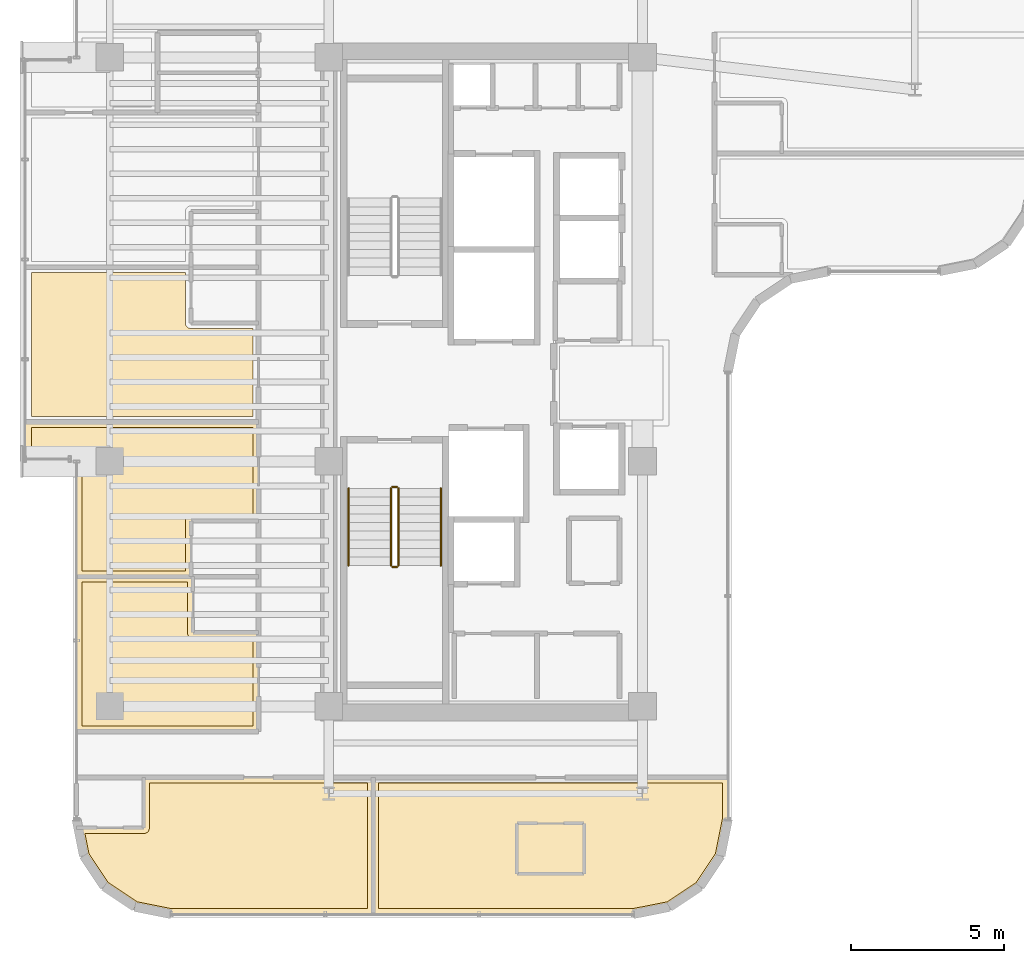
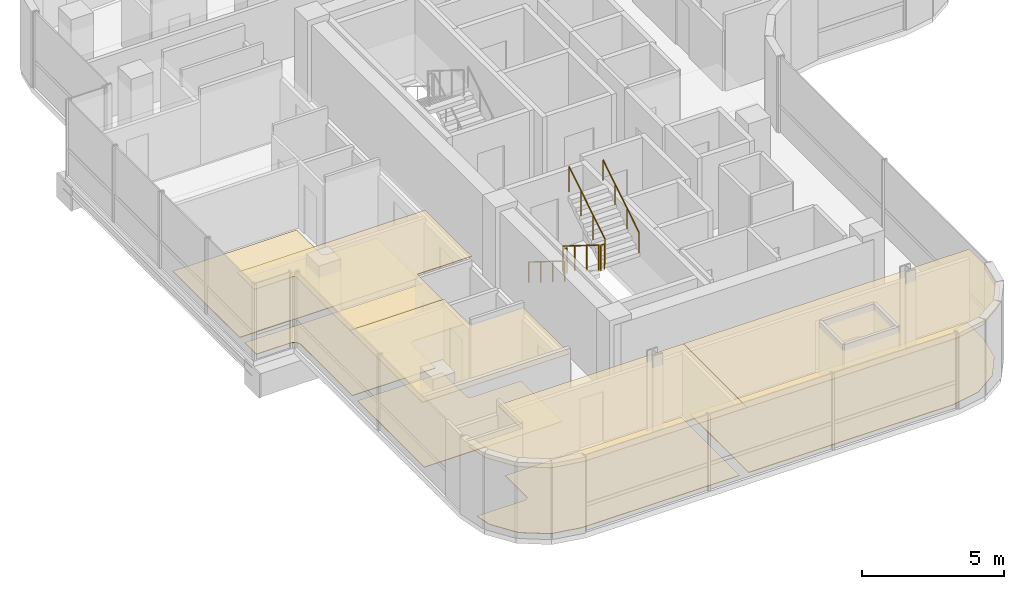
# One storey, part 20 of 22: 9 coverings, 6 railings.
"""IFC4 building model written with IfcOpenShell, lengths in metres."""

from ifc_helpers import new_model, si_unit, direction, frame, origin, origin_2d, place, context, subcontext, project, spatial, polyline, circle, outline, extrude, material, layer, layer_set, type_object, element, save


model = new_model("IFC4")

# Units and contexts
model_context = context("Model", 3, precision=1e-05, world=origin(), true_north=direction((0.0, 1.0)))
body_context = subcontext(model_context, "Body", "Model", "MODEL_VIEW")
ifc_project = project(units=[si_unit("LENGTHUNIT", "METRE"), si_unit("AREAUNIT", "SQUARE_METRE"), si_unit("VOLUMEUNIT", "CUBIC_METRE"), si_unit("PLANEANGLEUNIT", "RADIAN"), si_unit("MASSUNIT", "GRAM", prefix="KILO")], contexts=[model_context])

# Site, building, storey
site_placement = place(None, origin())
site = spatial("IfcSite", under=ifc_project, at=site_placement, CompositionType="ELEMENT")
building_placement = place(site_placement, origin())
building = spatial("IfcBuilding", under=site, at=building_placement, Name="Valdorenza Pilgrim Sanctuary Tower", CompositionType="ELEMENT")
storey_placement = place(building_placement, frame((0.0, 0.0, 216.0)))
storey = spatial("IfcBuildingStorey", under=building, at=storey_placement, Name="L55", CompositionType="ELEMENT", Elevation=216.0)

# Coverings
ifc_material_1 = material(Name="Micro-perforated acoustic mineral ceiling tile", Category="gypsum")
ifc_layer_1 = layer(ifc_material_1, 0.02490234375, Name="Micro-perforated acoustic mineral ceiling tile")
ifc_layer_set_1 = layer_set([ifc_layer_1], Name="Micro-perforated acoustic mineral ceiling tile")
covering_type_1 = type_object("IfcCoveringType", Name="COV-CLG-ACU", PredefinedType="CEILING", material=ifc_layer_set_1)
covering_1_placement = place(storey_placement, frame((0.0, 0.0, 2.9599609375)))
element("IfcCovering", 1, at=covering_1_placement, inside=storey, type_object=covering_type_1, Name="L55 Pilgrim Guest Room L55-W1 Acoustic Ceiling", PredefinedType="CEILING", context=body_context, shape_type="SweptSolid", body=[
    extrude(outline(polyline([(-30.905029296875, -6.364990234375), (-30.90478515625, -6.363525390625), (-30.90478515625, -6.362060546875), (-30.904296875, -6.360595703125), (-30.90380859375, -6.359375), (-30.9033203125, -6.35791015625), (-30.902587890625, -6.356689453125), (-30.901611328125, -6.35546875), (-30.900634765625, -6.3544921875), (-30.8994140625, -6.353515625), (-30.898193359375, -6.3525390625), (-30.897216796875, -6.351806640625), (-30.895751953125, -6.35107421875), (-30.894287109375, -6.3505859375), (-30.892822265625, -6.350341796875), (-30.8916015625, -6.35009765625), (-30.889892578125, -6.35009765625), (-27.090087890625, -6.35009765625), (-27.08837890625, -6.35009765625), (-27.087158203125, -6.350341796875), (-27.085693359375, -6.3505859375), (-27.084228515625, -6.35107421875), (-27.0830078125, -6.351806640625), (-27.081787109375, -6.3525390625), (-27.08056640625, -6.353515625), (-27.079345703125, -6.3544921875), (-27.078369140625, -6.35546875), (-27.077392578125, -6.356689453125), (-27.076904296875, -6.35791015625), (-27.076171875, -6.359375), (-27.07568359375, -6.360595703125), (-27.0751953125, -6.362060546875), (-27.0751953125, -6.363525390625), (-27.074951171875, -6.364990234375), (-27.074951171875, -8.172119140625), (-24.949951171875, -8.172119140625), (-24.948486328125, -8.172119140625), (-24.947021484375, -8.17236328125), (-24.945556640625, -8.172607421875), (-24.9443359375, -8.173095703125), (-24.94287109375, -8.173828125), (-24.941650390625, -8.174560546875), (-24.9404296875, -8.17529296875), (-24.939453125, -8.176513671875), (-24.9384765625, -8.177490234375), (-24.9375, -8.1787109375), (-24.936767578125, -8.179931640625), (-24.93603515625, -8.181396484375), (-24.935546875, -8.1826171875), (-24.935302734375, -8.18408203125), (-24.93505859375, -8.185546875), (-24.93505859375, -8.18701171875), (-24.93505859375, -11.419921875), (-24.93505859375, -11.42138671875), (-24.935302734375, -11.4228515625), (-24.935546875, -11.42431640625), (-24.93603515625, -11.42578125), (-24.936767578125, -11.427001953125), (-24.9375, -11.42822265625), (-24.9384765625, -11.429443359375), (-24.939453125, -11.4306640625), (-24.9404296875, -11.431640625), (-24.941650390625, -11.4326171875), (-24.94287109375, -11.43310546875), (-24.9443359375, -11.433837890625), (-24.945556640625, -11.434326171875), (-24.947021484375, -11.434814453125), (-24.948486328125, -11.434814453125), (-24.949951171875, -11.43505859375), (-30.889892578125, -11.43505859375), (-30.8916015625, -11.434814453125), (-30.892822265625, -11.434814453125), (-30.894287109375, -11.434326171875), (-30.895751953125, -11.433837890625), (-30.897216796875, -11.43310546875), (-30.898193359375, -11.4326171875), (-30.8994140625, -11.431640625), (-30.900634765625, -11.4306640625), (-30.901611328125, -11.429443359375), (-30.902587890625, -11.42822265625), (-30.9033203125, -11.427001953125), (-30.90380859375, -11.42578125), (-30.904296875, -11.42431640625), (-30.90478515625, -11.4228515625), (-30.90478515625, -11.42138671875), (-30.905029296875, -11.419921875), (-30.905029296875, -6.364990234375)])), origin(), (0.0, 0.0, 1.0), 0.025146484375),
])
covering_2_placement = place(storey_placement, frame((0.0, 0.0, 2.9599609375)))
element("IfcCovering", 2, at=covering_2_placement, inside=storey, type_object=covering_type_1, Name="L55 Pilgrim Guest Room L55-W2 Acoustic Ceiling", PredefinedType="CEILING", context=body_context, shape_type="SweptSolid", body=[
    extrude(outline(polyline([(-27.136962890625, -4.55810546875), (-27.136962890625, -6.363037109375), (-27.13720703125, -6.364501953125), (-27.13720703125, -6.365966796875), (-27.1376953125, -6.367431640625), (-27.13818359375, -6.36865234375), (-27.138916015625, -6.3701171875), (-27.139404296875, -6.371337890625), (-27.140380859375, -6.37255859375), (-27.141357421875, -6.37353515625), (-27.142578125, -6.37451171875), (-27.143798828125, -6.37548828125), (-27.14501953125, -6.376220703125), (-27.146240234375, -6.376953125), (-27.147705078125, -6.37744140625), (-27.149169921875, -6.377685546875), (-27.150390625, -6.3779296875), (-27.152099609375, -6.3779296875), (-30.889892578125, -6.3779296875), (-30.8916015625, -6.3779296875), (-30.892822265625, -6.377685546875), (-30.894287109375, -6.37744140625), (-30.895751953125, -6.376953125), (-30.897216796875, -6.376220703125), (-30.898193359375, -6.37548828125), (-30.8994140625, -6.37451171875), (-30.900634765625, -6.37353515625), (-30.901611328125, -6.37255859375), (-30.902587890625, -6.371337890625), (-30.9033203125, -6.3701171875), (-30.90380859375, -6.36865234375), (-30.904296875, -6.367431640625), (-30.90478515625, -6.365966796875), (-30.90478515625, -6.364501953125), (-30.905029296875, -6.363037109375), (-30.905029296875, -2.600341796875), (-30.905517578125, -2.5908203125), (-30.90673828125, -2.58154296875), (-30.9091796875, -2.572509765625), (-30.912109375, -2.563720703125), (-30.916259765625, -2.55517578125), (-30.9208984375, -2.547119140625), (-30.926513671875, -2.539794921875), (-30.932861328125, -2.53271484375), (-30.939697265625, -2.526611328125), (-30.947265625, -2.52099609375), (-30.955078125, -2.51611328125), (-30.963623046875, -2.51220703125), (-30.972412109375, -2.509033203125), (-30.9814453125, -2.5068359375), (-30.99072265625, -2.505615234375), (-31.00048828125, -2.5048828125), (-32.5400390625, -2.5048828125), (-32.54150390625, -2.5048828125), (-32.54296875, -2.504638671875), (-32.54443359375, -2.50439453125), (-32.545654296875, -2.50390625), (-32.547119140625, -2.503173828125), (-32.54833984375, -2.50244140625), (-32.549560546875, -2.501708984375), (-32.550537109375, -2.50048828125), (-32.551513671875, -2.49951171875), (-32.552490234375, -2.498291015625), (-32.55322265625, -2.4970703125), (-32.553955078125, -2.49560546875), (-32.554443359375, -2.494384765625), (-32.5546875, -2.492919921875), (-32.554931640625, -2.491455078125), (-32.554931640625, -2.489990234375), (-32.554931640625, -1.31005859375), (-32.554931640625, -1.30859375), (-32.5546875, -1.30712890625), (-32.554443359375, -1.3056640625), (-32.553955078125, -1.30419921875), (-32.55322265625, -1.302978515625), (-32.552490234375, -1.3017578125), (-32.551513671875, -1.300537109375), (-32.550537109375, -1.29931640625), (-32.549560546875, -1.29833984375), (-32.54833984375, -1.297607421875), (-32.547119140625, -1.296875), (-32.545654296875, -1.296142578125), (-32.54443359375, -1.295654296875), (-32.54296875, -1.29541015625), (-32.54150390625, -1.295166015625), (-32.5400390625, -1.294921875), (-24.949951171875, -1.294921875), (-24.948486328125, -1.295166015625), (-24.947021484375, -1.29541015625), (-24.945556640625, -1.295654296875), (-24.9443359375, -1.296142578125), (-24.94287109375, -1.296875), (-24.941650390625, -1.297607421875), (-24.9404296875, -1.29833984375), (-24.939453125, -1.29931640625), (-24.9384765625, -1.300537109375), (-24.9375, -1.3017578125), (-24.936767578125, -1.302978515625), (-24.93603515625, -1.30419921875), (-24.935546875, -1.3056640625), (-24.935302734375, -1.30712890625), (-24.93505859375, -1.30859375), (-24.93505859375, -1.31005859375), (-24.93505859375, -4.54296875), (-24.93505859375, -4.54443359375), (-24.935302734375, -4.5458984375), (-24.935546875, -4.54736328125), (-24.93603515625, -4.548583984375), (-24.936767578125, -4.550048828125), (-24.9375, -4.55126953125), (-24.9384765625, -4.552490234375), (-24.939453125, -4.5537109375), (-24.9404296875, -4.5546875), (-24.941650390625, -4.555419921875), (-24.94287109375, -4.55615234375), (-24.9443359375, -4.556884765625), (-24.945556640625, -4.557373046875), (-24.947021484375, -4.5576171875), (-24.948486328125, -4.557861328125), (-24.949951171875, -4.55810546875), (-27.136962890625, -4.55810546875)])), origin(), (0.0, 0.0, 1.0), 0.025146484375),
])
covering_3_placement = place(storey_placement, frame((0.0, 0.0, 2.9599609375)))
element("IfcCovering", 3, at=covering_3_placement, inside=storey, type_object=covering_type_1, Name="L55 South Guest Room L55-S1 Acoustic Ceiling", PredefinedType="CEILING", context=body_context, shape_type="SweptSolid", body=[
    extrude(outline(polyline([(-28.702880859375, -14.556884765625), (-28.702880859375, -12.919921875), (-28.702880859375, -12.91845703125), (-28.70263671875, -12.9169921875), (-28.702392578125, -12.91552734375), (-28.701904296875, -12.914306640625), (-28.701171875, -12.912841796875), (-28.700439453125, -12.91162109375), (-28.69970703125, -12.910400390625), (-28.698486328125, -12.909423828125), (-28.697509765625, -12.908447265625), (-28.6962890625, -12.907470703125), (-28.695068359375, -12.90673828125), (-28.693603515625, -12.906005859375), (-28.6923828125, -12.905517578125), (-28.69091796875, -12.9052734375), (-28.689453125, -12.905029296875), (-28.68798828125, -12.905029296875), (-21.199951171875, -12.905029296875), (-21.198486328125, -12.905029296875), (-21.197021484375, -12.9052734375), (-21.195556640625, -12.905517578125), (-21.1943359375, -12.906005859375), (-21.19287109375, -12.90673828125), (-21.191650390625, -12.907470703125), (-21.1904296875, -12.908447265625), (-21.189453125, -12.909423828125), (-21.1884765625, -12.910400390625), (-21.1875, -12.91162109375), (-21.186767578125, -12.912841796875), (-21.18603515625, -12.914306640625), (-21.185546875, -12.91552734375), (-21.185302734375, -12.9169921875), (-21.18505859375, -12.91845703125), (-21.18505859375, -12.919921875), (-21.18505859375, -17.389892578125), (-21.18505859375, -17.3916015625), (-21.185302734375, -17.392822265625), (-21.185546875, -17.394287109375), (-21.18603515625, -17.395751953125), (-21.186767578125, -17.397216796875), (-21.1875, -17.398193359375), (-21.1884765625, -17.3994140625), (-21.189453125, -17.400634765625), (-21.1904296875, -17.401611328125), (-21.191650390625, -17.402587890625), (-21.19287109375, -17.4033203125), (-21.1943359375, -17.40380859375), (-21.195556640625, -17.404296875), (-21.197021484375, -17.40478515625), (-21.198486328125, -17.40478515625), (-21.199951171875, -17.405029296875), (-27.789306640625, -17.405029296875), (-27.79052734375, -17.40478515625), (-27.7919921875, -17.40478515625), (-28.984619140625, -17.16748046875), (-28.986083984375, -17.1669921875), (-28.9873046875, -17.16650390625), (-28.98876953125, -17.166015625), (-28.989990234375, -17.165283203125), (-29.99169921875, -16.495849609375), (-29.992919921875, -16.4951171875), (-29.993896484375, -16.493896484375), (-29.9951171875, -16.492919921875), (-29.995849609375, -16.49169921875), (-30.665283203125, -15.489990234375), (-30.666015625, -15.48876953125), (-30.66650390625, -15.4873046875), (-30.6669921875, -15.486083984375), (-30.66748046875, -15.484619140625), (-30.848388671875, -14.574951171875), (-30.8486328125, -14.573486328125), (-30.8486328125, -14.572021484375), (-30.8486328125, -14.570556640625), (-30.848388671875, -14.569091796875), (-30.84814453125, -14.567626953125), (-30.84765625, -14.56640625), (-30.846923828125, -14.56494140625), (-30.84619140625, -14.563720703125), (-30.84521484375, -14.5625), (-30.84423828125, -14.561279296875), (-30.84326171875, -14.560302734375), (-30.842041015625, -14.5595703125), (-30.8408203125, -14.558837890625), (-30.839599609375, -14.55810546875), (-30.838134765625, -14.5576171875), (-30.836669921875, -14.557373046875), (-30.835205078125, -14.55712890625), (-30.833740234375, -14.556884765625), (-28.702880859375, -14.556884765625)])), origin(), (0.0, 0.0, 1.0), 0.025146484375),
])
covering_4_placement = place(storey_placement, frame((0.0, 0.0, 2.9599609375)))
element("IfcCovering", 4, at=covering_4_placement, inside=storey, type_object=covering_type_1, Name="L55 South Guest Room L55-S2 Acoustic Ceiling", PredefinedType="CEILING", context=body_context, shape_type="SweptSolid", body=[
    extrude(outline(polyline([(-9.610107421875, -12.905029296875), (-9.6083984375, -12.905029296875), (-9.607177734375, -12.9052734375), (-9.605712890625, -12.905517578125), (-9.604248046875, -12.906005859375), (-9.602783203125, -12.90673828125), (-9.601806640625, -12.907470703125), (-9.6005859375, -12.908447265625), (-9.599365234375, -12.909423828125), (-9.598388671875, -12.910400390625), (-9.597412109375, -12.91162109375), (-9.5966796875, -12.912841796875), (-9.59619140625, -12.914306640625), (-9.595703125, -12.91552734375), (-9.59521484375, -12.9169921875), (-9.59521484375, -12.91845703125), (-9.594970703125, -12.919921875), (-9.594970703125, -14.289306640625), (-9.59521484375, -14.29052734375), (-9.59521484375, -14.2919921875), (-9.83251953125, -15.484619140625), (-9.8330078125, -15.486083984375), (-9.83349609375, -15.4873046875), (-9.833984375, -15.48876953125), (-9.834716796875, -15.489990234375), (-10.504150390625, -16.49169921875), (-10.5048828125, -16.492919921875), (-10.506103515625, -16.493896484375), (-10.507080078125, -16.4951171875), (-10.50830078125, -16.495849609375), (-11.510009765625, -17.165283203125), (-11.51123046875, -17.166015625), (-11.5126953125, -17.16650390625), (-11.513916015625, -17.1669921875), (-11.515380859375, -17.16748046875), (-12.7080078125, -17.40478515625), (-12.70947265625, -17.40478515625), (-12.710693359375, -17.405029296875), (-21.197998046875, -17.405029296875), (-21.199462890625, -17.40478515625), (-21.200927734375, -17.40478515625), (-21.202392578125, -17.404296875), (-21.20361328125, -17.40380859375), (-21.205078125, -17.4033203125), (-21.206298828125, -17.402587890625), (-21.20751953125, -17.401611328125), (-21.20849609375, -17.400634765625), (-21.209716796875, -17.3994140625), (-21.21044921875, -17.398193359375), (-21.211181640625, -17.397216796875), (-21.2119140625, -17.395751953125), (-21.21240234375, -17.394287109375), (-21.212646484375, -17.392822265625), (-21.212890625, -17.3916015625), (-21.212890625, -17.389892578125), (-21.212890625, -12.919921875), (-21.212890625, -12.91845703125), (-21.212646484375, -12.9169921875), (-21.21240234375, -12.91552734375), (-21.2119140625, -12.914306640625), (-21.211181640625, -12.912841796875), (-21.21044921875, -12.91162109375), (-21.209716796875, -12.910400390625), (-21.20849609375, -12.909423828125), (-21.20751953125, -12.908447265625), (-21.206298828125, -12.907470703125), (-21.205078125, -12.90673828125), (-21.20361328125, -12.906005859375), (-21.202392578125, -12.905517578125), (-21.200927734375, -12.9052734375), (-21.199462890625, -12.905029296875), (-21.197998046875, -12.905029296875), (-9.610107421875, -12.905029296875)])), origin(), (0.0, 0.0, 1.0), 0.025146484375),
])
ifc_material_2 = material(Name="Engineered European oak timber flooring", Category="wood")
ifc_layer_2 = layer(ifc_material_2, 0.02197265625, Name="Engineered European oak timber flooring")
ifc_layer_set_2 = layer_set([ifc_layer_2], Name="Engineered European oak timber flooring")
covering_type_2 = type_object("IfcCoveringType", Name="COV-FLR-OAK", PredefinedType="FLOORING", material=ifc_layer_set_2)
covering_5_placement = place(storey_placement, origin())
element("IfcCovering", 5, at=covering_5_placement, inside=storey, type_object=covering_type_2, Name="L55 Pilgrim Guest Room L55-W1 Flooring", PredefinedType="FLOORING", context=body_context, shape_type="SweptSolid", body=[
    extrude(outline(polyline([(-30.7099609375, -6.544921875), (-27.27001953125, -6.544921875), (-27.27001953125, -8.18505859375), (-27.269775390625, -8.19384765625), (-27.269775390625, -8.194091796875), (-27.26806640625, -8.211669921875), (-27.26806640625, -8.2119140625), (-27.2646484375, -8.22900390625), (-27.264404296875, -8.229248046875), (-27.259521484375, -8.24609375), (-27.25927734375, -8.246337890625), (-27.252685546875, -8.2626953125), (-27.25244140625, -8.262939453125), (-27.244140625, -8.278564453125), (-27.244140625, -8.278564453125), (-27.234130859375, -8.293212890625), (-27.234130859375, -8.29345703125), (-27.222900390625, -8.30712890625), (-27.222900390625, -8.307373046875), (-27.210205078125, -8.31982421875), (-27.210205078125, -8.31982421875), (-27.196533203125, -8.3310546875), (-27.1962890625, -8.331298828125), (-27.181640625, -8.341064453125), (-27.181396484375, -8.34130859375), (-27.166015625, -8.349609375), (-27.165771484375, -8.349609375), (-27.1494140625, -8.356201171875), (-27.149169921875, -8.3564453125), (-27.13232421875, -8.361572265625), (-27.132080078125, -8.361572265625), (-27.11474609375, -8.364990234375), (-27.114501953125, -8.364990234375), (-27.096923828125, -8.36669921875), (-27.0966796875, -8.36669921875), (-27.087890625, -8.366943359375), (-25.1298828125, -8.366943359375), (-25.1298828125, -11.239990234375), (-30.7099609375, -11.239990234375), (-30.7099609375, -6.544921875)])), origin(), (0.0, 0.0, 1.0), 0.02490234375),
])
covering_6_placement = place(storey_placement, origin())
element("IfcCovering", 6, at=covering_6_placement, inside=storey, type_object=covering_type_2, Name="L55 Pilgrim Guest Room L55-W2 Flooring", PredefinedType="FLOORING", context=body_context, shape_type="SweptSolid", body=[
    extrude(outline(polyline([(-25.1298828125, -1.489990234375), (-25.1298828125, -4.363037109375), (-27.14990234375, -4.363037109375), (-27.15869140625, -4.36328125), (-27.158935546875, -4.36328125), (-27.176513671875, -4.364990234375), (-27.1767578125, -4.364990234375), (-27.194091796875, -4.368408203125), (-27.1943359375, -4.368408203125), (-27.211181640625, -4.37353515625), (-27.21142578125, -4.373779296875), (-27.227783203125, -4.38037109375), (-27.227783203125, -4.380615234375), (-27.243408203125, -4.388916015625), (-27.24365234375, -4.388916015625), (-27.25830078125, -4.398681640625), (-27.258544921875, -4.39892578125), (-27.272216796875, -4.41015625), (-27.272216796875, -4.41015625), (-27.284912109375, -4.422607421875), (-27.284912109375, -4.4228515625), (-27.296142578125, -4.4365234375), (-27.296142578125, -4.436767578125), (-27.30615234375, -4.451416015625), (-27.30615234375, -4.451416015625), (-27.314453125, -4.467041015625), (-27.314697265625, -4.46728515625), (-27.3212890625, -4.483642578125), (-27.3212890625, -4.48388671875), (-27.326416015625, -4.500732421875), (-27.32666015625, -4.5009765625), (-27.330078125, -4.518310546875), (-27.330078125, -4.518310546875), (-27.331787109375, -4.535888671875), (-27.331787109375, -4.5361328125), (-27.33203125, -4.544921875), (-27.33203125, -6.18310546875), (-30.7099609375, -6.18310546875), (-30.7099609375, -2.60009765625), (-30.710205078125, -2.59130859375), (-30.710693359375, -2.580322265625), (-30.71240234375, -2.562744140625), (-30.714111328125, -2.552001953125), (-30.717529296875, -2.534912109375), (-30.72021484375, -2.5244140625), (-30.725341796875, -2.50732421875), (-30.72900390625, -2.497314453125), (-30.735595703125, -2.48095703125), (-30.740234375, -2.47119140625), (-30.74853515625, -2.45556640625), (-30.754150390625, -2.4462890625), (-30.763916015625, -2.431640625), (-30.7705078125, -2.423095703125), (-30.781494140625, -2.4091796875), (-30.788818359375, -2.4013671875), (-30.80126953125, -2.388916015625), (-30.809326171875, -2.381591796875), (-30.822998046875, -2.370361328125), (-30.831787109375, -2.364013671875), (-30.84619140625, -2.35400390625), (-30.855712890625, -2.3486328125), (-30.87109375, -2.34033203125), (-30.880859375, -2.335693359375), (-30.897216796875, -2.328857421875), (-30.907470703125, -2.3251953125), (-30.92431640625, -2.320068359375), (-30.934814453125, -2.3173828125), (-30.9521484375, -2.314208984375), (-30.962890625, -2.3125), (-30.98046875, -2.310791015625), (-30.9912109375, -2.310302734375), (-31.0, -2.31005859375), (-32.360107421875, -2.31005859375), (-32.360107421875, -1.489990234375), (-25.1298828125, -1.489990234375)])), origin(), (0.0, 0.0, 1.0), 0.02490234375),
])
covering_7_placement = place(storey_placement, origin())
element("IfcCovering", 7, at=covering_7_placement, inside=storey, type_object=covering_type_2, Name="L55 Pilgrim Guest Room L55-W3 Flooring", PredefinedType="FLOORING", context=body_context, shape_type="SweptSolid", body=[
    extrude(outline(polyline([(-32.360107421875, 3.56494140625), (-27.33203125, 3.56494140625), (-27.33203125, 1.925048828125), (-27.331787109375, 1.916259765625), (-27.331787109375, 1.916015625), (-27.330078125, 1.8984375), (-27.330078125, 1.898193359375), (-27.32666015625, 1.880859375), (-27.326416015625, 1.880615234375), (-27.3212890625, 1.86376953125), (-27.3212890625, 1.863525390625), (-27.314697265625, 1.847412109375), (-27.314453125, 1.84716796875), (-27.30615234375, 1.83154296875), (-27.30615234375, 1.831298828125), (-27.296142578125, 1.816650390625), (-27.296142578125, 1.81640625), (-27.284912109375, 1.802978515625), (-27.284912109375, 1.802734375), (-27.272216796875, 1.790283203125), (-27.272216796875, 1.7900390625), (-27.258544921875, 1.77880859375), (-27.25830078125, 1.77880859375), (-27.24365234375, 1.768798828125), (-27.243408203125, 1.768798828125), (-27.227783203125, 1.760498046875), (-27.227783203125, 1.760498046875), (-27.21142578125, 1.753662109375), (-27.211181640625, 1.753662109375), (-27.1943359375, 1.74853515625), (-27.194091796875, 1.748291015625), (-27.1767578125, 1.7451171875), (-27.176513671875, 1.7451171875), (-27.158935546875, 1.7431640625), (-27.15869140625, 1.7431640625), (-27.14990234375, 1.742919921875), (-25.1298828125, 1.742919921875), (-25.1298828125, -1.1279296875), (-32.360107421875, -1.1279296875), (-32.360107421875, 3.56494140625)])), origin(), (0.0, 0.0, 1.0), 0.02490234375),
])
covering_8_placement = place(storey_placement, origin())
element("IfcCovering", 8, at=covering_8_placement, inside=storey, type_object=covering_type_2, Name="L55 South Guest Room L55-S1 Flooring", PredefinedType="FLOORING", context=body_context, shape_type="SweptSolid", body=[
    extrude(outline(polyline([(-27.771484375, -17.2099609375), (-28.911376953125, -16.983154296875), (-29.853515625, -16.353515625), (-30.483154296875, -15.411376953125), (-30.614501953125, -14.751953125), (-28.68994140625, -14.751953125), (-28.68115234375, -14.751708984375), (-28.680908203125, -14.751708984375), (-28.663330078125, -14.75), (-28.6630859375, -14.75), (-28.64599609375, -14.74658203125), (-28.645751953125, -14.74658203125), (-28.62890625, -14.741455078125), (-28.628662109375, -14.7412109375), (-28.6123046875, -14.734619140625), (-28.612060546875, -14.734619140625), (-28.596435546875, -14.726318359375), (-28.596435546875, -14.72607421875), (-28.581787109375, -14.71630859375), (-28.58154296875, -14.716064453125), (-28.56787109375, -14.704833984375), (-28.567626953125, -14.704833984375), (-28.55517578125, -14.6923828125), (-28.55517578125, -14.692138671875), (-28.5439453125, -14.678466796875), (-28.543701171875, -14.67822265625), (-28.533935546875, -14.66357421875), (-28.53369140625, -14.66357421875), (-28.525390625, -14.64794921875), (-28.525390625, -14.647705078125), (-28.518798828125, -14.63134765625), (-28.5185546875, -14.631103515625), (-28.513427734375, -14.6142578125), (-28.513427734375, -14.614013671875), (-28.510009765625, -14.5966796875), (-28.510009765625, -14.5966796875), (-28.50830078125, -14.5791015625), (-28.50830078125, -14.578857421875), (-28.508056640625, -14.570068359375), (-28.508056640625, -13.10009765625), (-21.3798828125, -13.10009765625), (-21.3798828125, -17.2099609375), (-27.771484375, -17.2099609375)])), origin(), (0.0, 0.0, 1.0), 0.02490234375),
])
covering_9_placement = place(storey_placement, origin())
element("IfcCovering", 9, at=covering_9_placement, inside=storey, type_object=covering_type_2, Name="L55 South Guest Room L55-S2 Flooring", PredefinedType="FLOORING", context=body_context, shape_type="SweptSolid", body=[
    extrude(outline(polyline([(-9.7900390625, -13.10009765625), (-9.7900390625, -14.271484375), (-10.016845703125, -15.411376953125), (-10.646484375, -16.353515625), (-11.588623046875, -16.983154296875), (-12.728515625, -17.2099609375), (-21.01806640625, -17.2099609375), (-21.01806640625, -13.10009765625), (-9.7900390625, -13.10009765625)])), origin(), (0.0, 0.0, 1.0), 0.02490234375),
])

# Railings
ifc_material_3 = material(Name="Stainless steel Grade 316", Category="steel")
railing_type_1 = type_object("IfcRailingType", Name="RLG-GRD-1120", PredefinedType="GUARDRAIL", material=ifc_material_3)
railing_1_placement = place(storey_placement, frame((-20.6201171875, -3.47998046875, 0.175048828125)))
element("IfcRailing", 10, at=railing_1_placement, inside=storey, type_object=railing_type_1, Name="L55 ST-A2 stair guard 1", PredefinedType="GUARDRAIL", context=body_context, shape_type="SweptSolid", body=[
    extrude(circle(Radius=0.02392578125, at=origin_2d()), frame((0.0, 0.0, 1.076171875), z_axis=(0.0, -0.848007534815, 0.529984170421), x_axis=(1.0, 0.0, 0.0)), (0.0, 0.0, 1.0), 2.9716796875),
    extrude(circle(Radius=0.02099609375, at=origin_2d()), origin(), (0.0, 0.0, 1.0), 1.052001953125),
    extrude(circle(Radius=0.02099609375, at=origin_2d()), frame((0.0, -0.840087890625, 0.52490234375)), (0.0, 0.0, 1.0), 1.052001953125),
    extrude(circle(Radius=0.02099609375, at=origin_2d()), frame((0.0, -1.679931640625, 1.050048828125)), (0.0, 0.0, 1.0), 1.052001953125),
    extrude(circle(Radius=0.02099609375, at=origin_2d()), frame((0.0, -2.52001953125, 1.574951171875)), (0.0, 0.0, 1.0), 1.052001953125),
])
railing_2_placement = place(storey_placement, frame((-20.570068359375, -6.050048828125, 1.75)))
element("IfcRailing", 11, at=railing_2_placement, inside=storey, type_object=railing_type_1, Name="L55 ST-A2 stair guard 2", PredefinedType="GUARDRAIL", context=body_context, shape_type="SweptSolid", body=[
    extrude(circle(Radius=0.02392578125, at=origin_2d()), frame((0.0, 0.0, 1.076171875), z_axis=(1.0, 0.0, 0.0), x_axis=(0.0, 1.0, 0.0)), (0.0, 0.0, 1.0), 0.150146484375),
    extrude(circle(Radius=0.02099609375, at=origin_2d()), origin(), (0.0, 0.0, 1.0), 1.052001953125),
    extrude(circle(Radius=0.02099609375, at=origin_2d()), frame((0.150146484375, 0.0, 0.0)), (0.0, 0.0, 1.0), 1.052001953125),
])
railing_3_placement = place(storey_placement, frame((-20.3701171875, -6.0, 1.925048828125)))
element("IfcRailing", 12, at=railing_3_placement, inside=storey, type_object=railing_type_1, Name="L55 ST-A2 stair guard 3", PredefinedType="GUARDRAIL", context=body_context, shape_type="SweptSolid", body=[
    extrude(circle(Radius=0.02392578125, at=origin_2d()), frame((0.0, 0.0, 1.076171875), z_axis=(0.0, 0.848007534815, 0.529984170421), x_axis=(-1.0, 0.0, 0.0)), (0.0, 0.0, 1.0), 2.9716796875),
    extrude(circle(Radius=0.02099609375, at=origin_2d()), origin(), (0.0, 0.0, 1.0), 1.052001953125),
    extrude(circle(Radius=0.02099609375, at=origin_2d()), frame((0.0, 0.840087890625, 0.52490234375)), (0.0, 0.0, 1.0), 1.052001953125),
    extrude(circle(Radius=0.02099609375, at=origin_2d()), frame((0.0, 1.679931640625, 1.050048828125)), (0.0, 0.0, 1.0), 1.052001953125),
    extrude(circle(Radius=0.02099609375, at=origin_2d()), frame((0.0, 2.52001953125, 1.574951171875)), (0.0, 0.0, 1.0), 1.052001953125),
])
railing_4_placement = place(storey_placement, frame((-20.570068359375, -3.429931640625, 0.0)))
element("IfcRailing", 13, at=railing_4_placement, inside=storey, type_object=railing_type_1, Name="L55 ST-A2 stair guard 4", PredefinedType="GUARDRAIL", context=body_context, shape_type="SweptSolid", body=[
    extrude(circle(Radius=0.02392578125, at=origin_2d()), frame((0.0, 0.0, 1.076171875), z_axis=(1.0, 0.0, 0.0), x_axis=(0.0, 1.0, 0.0)), (0.0, 0.0, 1.0), 0.150146484375),
    extrude(circle(Radius=0.02099609375, at=origin_2d()), origin(), (0.0, 0.0, 1.0), 1.052001953125),
    extrude(circle(Radius=0.02099609375, at=origin_2d()), frame((0.150146484375, 0.0, 0.0)), (0.0, 0.0, 1.0), 1.052001953125),
])
ifc_material_4 = material(Name="Brushed stainless steel Grade 316", Category="steel")
railing_type_2 = type_object("IfcRailingType", Name="RLG-HND-920", PredefinedType="HANDRAIL", material=ifc_material_4)
railing_5_placement = place(storey_placement, frame((-22.0, -3.47998046875, 0.175048828125)))
element("IfcRailing", 14, at=railing_5_placement, inside=storey, type_object=railing_type_2, Name="L55 ST-A2 stair handrail 1", PredefinedType="HANDRAIL", context=body_context, shape_type="SweptSolid", body=[
    extrude(circle(Radius=0.02392578125, at=origin_2d()), frame((0.0, 0.0, 0.8759765625), z_axis=(0.0, -0.848007534815, 0.529984170421), x_axis=(1.0, 0.0, 0.0)), (0.0, 0.0, 1.0), 2.9716796875),
    extrude(circle(Radius=0.02099609375, at=origin_2d()), origin(), (0.0, 0.0, 1.0), 0.851806640625),
    extrude(circle(Radius=0.02099609375, at=origin_2d()), frame((0.0, -0.840087890625, 0.52490234375)), (0.0, 0.0, 1.0), 0.851806640625),
    extrude(circle(Radius=0.02099609375, at=origin_2d()), frame((0.0, -1.679931640625, 1.050048828125)), (0.0, 0.0, 1.0), 0.851806640625),
    extrude(circle(Radius=0.02099609375, at=origin_2d()), frame((0.0, -2.52001953125, 1.574951171875)), (0.0, 0.0, 1.0), 0.851806640625),
])
railing_6_placement = place(storey_placement, frame((-18.989990234375, -6.0, 1.925048828125)))
element("IfcRailing", 15, at=railing_6_placement, inside=storey, type_object=railing_type_2, Name="L55 ST-A2 stair handrail 2", PredefinedType="HANDRAIL", context=body_context, shape_type="SweptSolid", body=[
    extrude(circle(Radius=0.02392578125, at=origin_2d()), frame((0.0, 0.0, 0.8759765625), z_axis=(0.0, 0.848007534815, 0.529984170421), x_axis=(-1.0, 0.0, 0.0)), (0.0, 0.0, 1.0), 2.9716796875),
    extrude(circle(Radius=0.02099609375, at=origin_2d()), origin(), (0.0, 0.0, 1.0), 0.851806640625),
    extrude(circle(Radius=0.02099609375, at=origin_2d()), frame((0.0, 0.840087890625, 0.52490234375)), (0.0, 0.0, 1.0), 0.851806640625),
    extrude(circle(Radius=0.02099609375, at=origin_2d()), frame((0.0, 1.679931640625, 1.050048828125)), (0.0, 0.0, 1.0), 0.851806640625),
    extrude(circle(Radius=0.02099609375, at=origin_2d()), frame((0.0, 2.52001953125, 1.574951171875)), (0.0, 0.0, 1.0), 0.851806640625),
])

save(model, "model.ifc")
